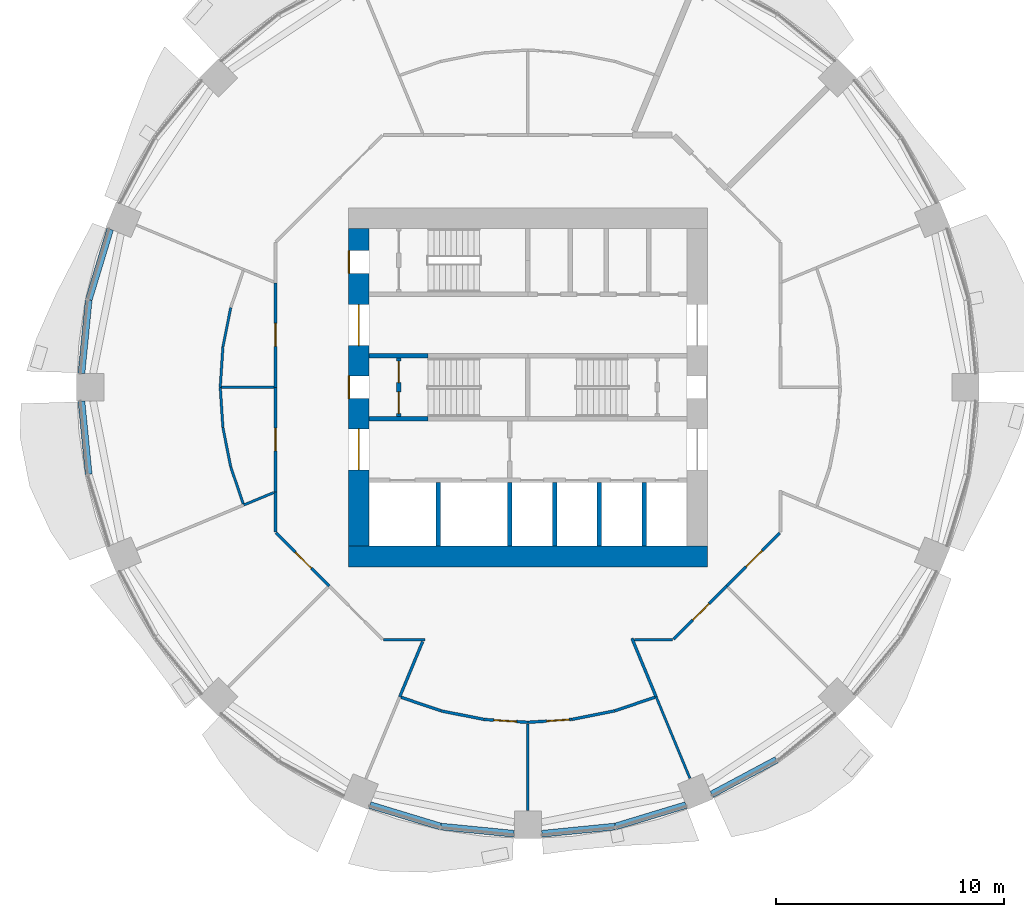
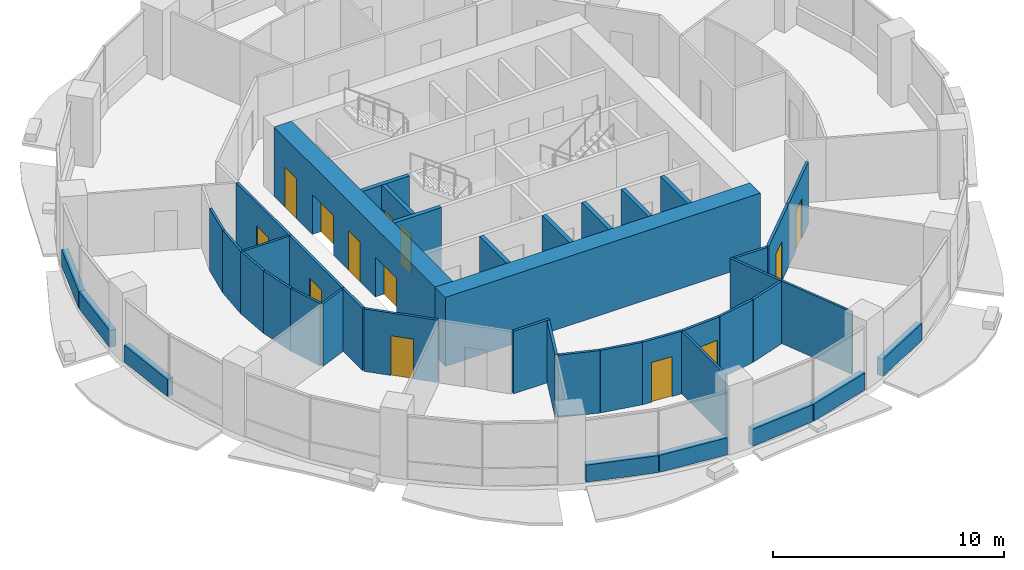
# One storey, part 8 of 15: 43 walls, 13 doors, 13 openings.
"""IFC4 building model written with IfcOpenShell, lengths in metres."""

from ifc_helpers import new_model, si_unit, direction, frame, frame_2d, origin, place, context, subcontext, project, spatial, rectangle, extrude, material, layer, layer_set, type_object, element, fill, save


model = new_model("IFC4")

# Units and contexts
model_context = context("Model", 3, precision=1e-05, world=origin(), true_north=direction((0.0, 1.0)))
body_context = subcontext(model_context, "Body", "Model", "MODEL_VIEW")
ifc_project = project(units=[si_unit("LENGTHUNIT", "METRE"), si_unit("AREAUNIT", "SQUARE_METRE"), si_unit("VOLUMEUNIT", "CUBIC_METRE"), si_unit("PLANEANGLEUNIT", "RADIAN"), si_unit("MASSUNIT", "GRAM", prefix="KILO")], contexts=[model_context])

# Site, building, storey
site_placement = place(None, origin())
site = spatial("IfcSite", under=ifc_project, at=site_placement, CompositionType="ELEMENT")
building_placement = place(site_placement, origin())
building = spatial("IfcBuilding", under=site, at=building_placement, Name="Polderwave Tower", CompositionType="ELEMENT")
storey_placement = place(building_placement, frame((0.0, 0.0, 33.5)))
storey = spatial("IfcBuildingStorey", under=building, at=storey_placement, Name="L08", CompositionType="ELEMENT", Elevation=33.5)

# Wall
ifc_material_1 = material(Name="Concrete C80/95", Category="concrete")
ifc_layer_1 = layer(ifc_material_1, 0.89990234375)
ifc_layer_set_1 = layer_set([ifc_layer_1], Name="CORE WALL 900 C80/95")
wall_type_1 = type_object("IfcWallType", Name="CORE WALL 900 C80/95", PredefinedType="SHEAR", material=ifc_layer_set_1)
wall_1_placement = place(storey_placement, frame((-7.8740234375, -7.424072265625, 0.0), z_axis=(0.0, 0.0, 1.0), x_axis=(1.0, 0.0, 0.0)))
element("IfcWall", 1, at=wall_1_placement, inside=storey, type_object=wall_type_1, Name="ST-CORE-L08-S", PredefinedType="SHEAR", context=body_context, shape_type="SweptSolid", body=[
    extrude(rectangle(XDim=15.748046875, YDim=0.89990234375, at=frame_2d((7.8740234375, 0.0))), origin(), (0.0, 0.0, 1.0), 3.64990234375),
])

# Wall, openings, doors
wall_2_placement = place(storey_placement, frame((-7.424072265625, -6.97412109375, 0.0), z_axis=(0.0, 0.0, 1.0), x_axis=(0.0, 1.0, 0.0)))
wall_2 = element("IfcWall", 2, at=wall_2_placement, inside=storey, type_object=wall_type_1, Name="ST-CORE-L08-W", PredefinedType="SHEAR", context=body_context, shape_type="SweptSolid", body=[
    extrude(rectangle(XDim=13.9482421875, YDim=0.89990234375, at=frame_2d((6.97412109375, 0.0))), origin(), (0.0, 0.0, 1.0), 3.64990234375),
])
opening_1_placement = place(wall_2_placement, frame((6.47412109375, 0.0, 0.0)))
opening_1 = element("IfcOpeningElement", 3, at=opening_1_placement, cuts=wall_2, Name="Opening L08-D18", PredefinedType="OPENING", context=body_context, shape_type="SweptSolid", body=[
    extrude(rectangle(XDim=1.0, YDim=2.10009765625, at=frame_2d((0.5, 1.050048828125))), frame((0.0, 0.4599609375, 0.0), z_axis=(0.0, -1.0, 0.0), x_axis=(1.0, 0.0, 0.0)), (0.0, 0.0, 1.0), 0.919921875),
])
opening_2_placement = place(wall_2_placement, frame((3.349609375, 0.0, 0.0)))
opening_2 = element("IfcOpeningElement", 4, at=opening_2_placement, cuts=wall_2, Name="Opening L08-D19", PredefinedType="OPENING", context=body_context, shape_type="SweptSolid", body=[
    extrude(rectangle(XDim=1.800048828125, YDim=2.10009765625, at=frame_2d((0.89990234375, 1.050048828125))), frame((0.0, 0.4599609375, 0.0), z_axis=(0.0, -1.0, 0.0), x_axis=(1.0, 0.0, 0.0)), (0.0, 0.0, 1.0), 0.919921875),
])
opening_3_placement = place(wall_2_placement, frame((8.798583984375, 0.0, 0.0)))
opening_3 = element("IfcOpeningElement", 5, at=opening_3_placement, cuts=wall_2, Name="Opening L08-D20", PredefinedType="OPENING", context=body_context, shape_type="SweptSolid", body=[
    extrude(rectangle(XDim=1.800048828125, YDim=2.10009765625, at=frame_2d((0.89990234375, 1.050048828125))), frame((0.0, 0.4599609375, 0.0), z_axis=(0.0, -1.0, 0.0), x_axis=(1.0, 0.0, 0.0)), (0.0, 0.0, 1.0), 0.919921875),
])
opening_4_placement = place(wall_2_placement, frame((11.97412109375, 0.0, 0.0)))
opening_4 = element("IfcOpeningElement", 6, at=opening_4_placement, cuts=wall_2, Name="Opening L08-D21", PredefinedType="OPENING", context=body_context, shape_type="SweptSolid", body=[
    extrude(rectangle(XDim=1.0, YDim=2.10009765625, at=frame_2d((0.5, 1.050048828125))), frame((0.0, 0.4599609375, 0.0), z_axis=(0.0, -1.0, 0.0), x_axis=(1.0, 0.0, 0.0)), (0.0, 0.0, 1.0), 0.919921875),
])
ifc_material_2 = material(Name="Steel fire door", Category="steel")
door_type_1 = type_object("IfcDoorType", Name="Lobby entry door pair 1800", OperationType="DOUBLE_DOOR_SINGLE_SWING", PredefinedType="DOOR", material=ifc_material_2)
door_1_placement = place(opening_2_placement, origin())
door_1 = element("IfcDoor", 7, at=door_1_placement, inside=storey, type_object=door_type_1, Name="Fire-fighting lobby entry door", OperationType="DOUBLE_DOOR_SINGLE_SWING", OverallHeight=2.10009765625, OverallWidth=1.800048828125, PredefinedType="DOOR", context=body_context, shape_type="SweptSolid", body=[
    extrude(rectangle(XDim=1.800048828125, YDim=2.10009765625, at=frame_2d((0.89990234375, 1.050048828125))), frame((0.0, 0.02490234375, 0.0), z_axis=(0.0, -1.0, 0.0), x_axis=(1.0, 0.0, 0.0)), (0.0, 0.0, 1.0), 0.050048828125),
])
fill(opening_2, door_1)
door_2_placement = place(opening_3_placement, origin())
door_2 = element("IfcDoor", 8, at=door_2_placement, inside=storey, type_object=door_type_1, Name="North lobby entry door", OperationType="DOUBLE_DOOR_SINGLE_SWING", OverallHeight=2.10009765625, OverallWidth=1.800048828125, PredefinedType="DOOR", context=body_context, shape_type="SweptSolid", body=[
    extrude(rectangle(XDim=1.800048828125, YDim=2.10009765625, at=frame_2d((0.89990234375, 1.050048828125))), frame((0.0, 0.02490234375, 0.0), z_axis=(0.0, -1.0, 0.0), x_axis=(1.0, 0.0, 0.0)), (0.0, 0.0, 1.0), 0.050048828125),
])
fill(opening_3, door_2)
door_type_2 = type_object("IfcDoorType", Name="Stair door 1000", OperationType="NOTDEFINED", PredefinedType="DOOR", material=ifc_material_2)
door_3_placement = place(opening_1_placement, origin())
door_3 = element("IfcDoor", 9, at=door_3_placement, inside=storey, type_object=door_type_2, Name="Stair A entry door", OperationType="SINGLE_SWING_RIGHT", OverallHeight=2.10009765625, OverallWidth=1.0, PredefinedType="DOOR", context=body_context, shape_type="SweptSolid", body=[
    extrude(rectangle(XDim=1.0, YDim=2.10009765625, at=frame_2d((0.5, 1.050048828125))), frame((0.0, 0.4501953125, 0.0), z_axis=(0.0, -1.0, 0.0), x_axis=(1.0, 0.0, 0.0)), (0.0, 0.0, 1.0), 0.050048828125),
])
fill(opening_1, door_3)
door_4_placement = place(opening_4_placement, origin())
door_4 = element("IfcDoor", 10, at=door_4_placement, inside=storey, type_object=door_type_2, Name="Stair C entry door", OperationType="SINGLE_SWING_RIGHT", OverallHeight=2.10009765625, OverallWidth=1.0, PredefinedType="DOOR", context=body_context, shape_type="SweptSolid", body=[
    extrude(rectangle(XDim=1.0, YDim=2.10009765625, at=frame_2d((0.5, 1.050048828125))), frame((0.0, 0.4501953125, 0.0), z_axis=(0.0, -1.0, 0.0), x_axis=(1.0, 0.0, 0.0)), (0.0, 0.0, 1.0), 0.050048828125),
])
fill(opening_4, door_4)

# Walls
ifc_material_3 = material(Name="Concrete C50/60 (board-marked)", Category="concrete")
ifc_layer_2 = layer(ifc_material_3, 0.300048828125)
ifc_layer_set_2 = layer_set([ifc_layer_2], Name="Concrete spandrel upstand C50/60")
wall_type_2 = type_object("IfcWallType", Name="Concrete spandrel upstand C50/60", PredefinedType="SOLIDWALL", material=ifc_layer_set_2)
for number, where, z_axis, x_axis, name in (
    (11, (-18.33251953125, 6.9296875, 0.0), (0.0, 0.0, 1.0), (-0.290301899131, -0.956935111364, 0.0), "Spandrel L08 8a"),
    (12, (-19.2734375, 3.818115234375, 0.0), (0.0, 0.0, 1.0), (-0.09816025243, -0.995170620971, 0.0), "Spandrel L08 8b"),
    (13, (-19.589599609375, -0.61279296875, 0.0), (0.0, 0.0, 1.0), (0.09816025243, -0.995170620971, 0.0), "Spandrel L08 9a"),
    (14, (-6.9296875, -18.33251953125, 0.0), (0.0, 0.0, 1.0), (0.956935111364, -0.290301899131, 0.0), "Spandrel L08 12a"),
    (15, (-3.818115234375, -19.2734375, 0.0), (0.0, 0.0, 1.0), (0.995170620971, -0.09816025243, 0.0), "Spandrel L08 12b"),
    (16, (0.61279296875, -19.589599609375, 0.0), (0.0, 0.0, 1.0), (0.995170620971, 0.09816025243, 0.0), "Spandrel L08 13a"),
    (17, (3.847412109375, -19.267578125, 0.0), (0.0, 0.0, 1.0), (0.956935111364, 0.290301899131, 0.0), "Spandrel L08 13b"),
):
    element("IfcWall", number, at=place(storey_placement, frame(where, z_axis=z_axis, x_axis=x_axis)), inside=storey, type_object=wall_type_2, Name=name, PredefinedType="SOLIDWALL", context=body_context, shape_type="SweptSolid", body=[
        extrude(rectangle(XDim=3.220947265625, YDim=0.300048828125, at=frame_2d((1.6103515625, 0.0))), origin(), (0.0, 0.0, 1.0), 0.89990234375),
    ])
wall_3_placement = place(storey_placement, frame((8.063232421875, -17.86279296875, 0.0), z_axis=(0.0, 0.0, 1.0), x_axis=(0.882016961449, 0.471217656413, 0.0)))
element("IfcWall", 18, at=wall_3_placement, inside=storey, type_object=wall_type_2, Name="Spandrel L08 14a", PredefinedType="SOLIDWALL", context=body_context, shape_type="SweptSolid", body=[
    extrude(rectangle(XDim=3.220458984375, YDim=0.300048828125, at=frame_2d((1.6103515625, 0.0))), origin(), (0.0, 0.0, 1.0), 0.89990234375),
])

# Wall, openings, doors
ifc_material_4 = material(Name="Gypsum board partition")
ifc_layer_3 = layer(ifc_material_4, 0.199951171875)
ifc_layer_set_3 = layer_set([ifc_layer_3], Name="Core room partition 200")
wall_type_3 = type_object("IfcWallType", Name="Core room partition 200", PredefinedType="PARTITIONING", material=ifc_layer_set_3)
wall_4_placement = place(storey_placement, frame((-5.674072265625, -1.27490234375, 0.0), z_axis=(0.0, 0.0, 1.0), x_axis=(0.0, 1.0, 0.0)))
wall_4 = element("IfcWall", 19, at=wall_4_placement, inside=storey, type_object=wall_type_3, Name="L08 smoke lobby wall A", PredefinedType="PARTITIONING", context=body_context, shape_type="SweptSolid", body=[
    extrude(rectangle(XDim=2.5498046875, YDim=0.199951171875, at=frame_2d((1.27490234375, 0.0))), origin(), (0.0, 0.0, 1.0), 3.300048828125),
])
opening_5_placement = place(wall_4_placement, frame((0.125, 0.0, 0.0)))
opening_5 = element("IfcOpeningElement", 20, at=opening_5_placement, cuts=wall_4, Name="Opening L08-D07", PredefinedType="OPENING", context=body_context, shape_type="SweptSolid", body=[
    extrude(rectangle(XDim=0.949951171875, YDim=2.10009765625, at=frame_2d((0.47509765625, 1.050048828125))), frame((0.0, 0.10986328125, 0.0), z_axis=(0.0, -1.0, 0.0), x_axis=(1.0, 0.0, 0.0)), (0.0, 0.0, 1.0), 0.219970703125),
])
opening_6_placement = place(wall_4_placement, frame((1.47509765625, 0.0, 0.0)))
opening_6 = element("IfcOpeningElement", 21, at=opening_6_placement, cuts=wall_4, Name="Opening L08-D08", PredefinedType="OPENING", context=body_context, shape_type="SweptSolid", body=[
    extrude(rectangle(XDim=0.949951171875, YDim=2.10009765625, at=frame_2d((0.47509765625, 1.050048828125))), frame((0.0, 0.10986328125, 0.0), z_axis=(0.0, -1.0, 0.0), x_axis=(1.0, 0.0, 0.0)), (0.0, 0.0, 1.0), 0.219970703125),
])
door_type_3 = type_object("IfcDoorType", Name="Smoke lobby door 950", OperationType="NOTDEFINED", PredefinedType="DOOR", material=ifc_material_2)
door_5_placement = place(opening_5_placement, origin())
door_5 = element("IfcDoor", 22, at=door_5_placement, inside=storey, type_object=door_type_3, Name="Stair A smoke lobby inner door", OperationType="SINGLE_SWING_LEFT", OverallHeight=2.10009765625, OverallWidth=0.949951171875, PredefinedType="DOOR", context=body_context, shape_type="SweptSolid", body=[
    extrude(rectangle(XDim=0.949951171875, YDim=2.10009765625, at=frame_2d((0.47509765625, 1.050048828125))), frame((0.0, 0.02490234375, 0.0), z_axis=(0.0, -1.0, 0.0), x_axis=(1.0, 0.0, 0.0)), (0.0, 0.0, 1.0), 0.050048828125),
])
fill(opening_5, door_5)
door_6_placement = place(opening_6_placement, origin())
door_6 = element("IfcDoor", 23, at=door_6_placement, inside=storey, type_object=door_type_3, Name="Stair A smoke lobby inner door", OperationType="SINGLE_SWING_RIGHT", OverallHeight=2.10009765625, OverallWidth=0.949951171875, PredefinedType="DOOR", context=body_context, shape_type="SweptSolid", body=[
    extrude(rectangle(XDim=0.949951171875, YDim=2.10009765625, at=frame_2d((0.47509765625, 1.050048828125))), frame((0.0, 0.02490234375, 0.0), z_axis=(0.0, -1.0, 0.0), x_axis=(1.0, 0.0, 0.0)), (0.0, 0.0, 1.0), 0.050048828125),
])
fill(opening_6, door_6)

# Walls
ifc_material_5 = material(Name="Concrete C50/60", Category="concrete")
ifc_layer_4 = layer(ifc_material_5, 0.199951171875)
ifc_layer_set_4 = layer_set([ifc_layer_4], Name="Core web wall 200")
wall_type_4 = type_object("IfcWallType", Name="Core web wall 200", PredefinedType="SHEAR", material=ifc_layer_set_4)
for number, where, z_axis, x_axis, name in (
    (24, (-6.97412109375, -1.375, 0.0), (0.0, 0.0, 1.0), (1.0, 0.0, 0.0), "L08 south stair wall 1"),
    (25, (-6.97412109375, 1.375, 0.0), (0.0, 0.0, 1.0), (1.0, 0.0, 0.0), "L08 north stair wall 1"),
):
    element("IfcWall", number, at=place(storey_placement, frame(where, z_axis=z_axis, x_axis=x_axis)), inside=storey, type_object=wall_type_4, Name=name, PredefinedType="SHEAR", context=body_context, shape_type="SweptSolid", body=[
        extrude(rectangle(XDim=2.60009765625, YDim=0.199951171875, at=frame_2d((1.300048828125, 0.0))), origin(), (0.0, 0.0, 1.0), 3.300048828125),
    ])

# Wall, opening, door
ifc_material_6 = material(Name="Fire-resisting board on steel studs", Category="steel")
ifc_layer_5 = layer(ifc_material_6, 0.125)
ifc_layer_set_5 = layer_set([ifc_layer_5], Name="Corridor wall 125 mm EI 60")
wall_type_5 = type_object("IfcWallType", Name="Corridor wall 125 mm EI 60", PredefinedType="PARTITIONING", material=ifc_layer_set_5)
wall_5_placement = place(storey_placement, frame((11.0556640625, -6.389404296875, 0.0), z_axis=(0.0, 0.0, 1.0), x_axis=(-0.707143776336, -0.707069784102, 0.0)))
wall_5 = element("IfcWall", 26, at=wall_5_placement, inside=storey, type_object=wall_type_5, Name="IN-L08-W004", PredefinedType="PARTITIONING", context=body_context, shape_type="SweptSolid", body=[
    extrude(rectangle(XDim=3.299560546875, YDim=0.125, at=frame_2d((1.64990234375, 0.0))), origin(), (0.0, 0.0, 1.0), 3.300048828125),
])
opening_7_placement = place(wall_5_placement, frame((1.10009765625, 0.0, 0.0)))
opening_7 = element("IfcOpeningElement", 27, at=opening_7_placement, cuts=wall_5, Name="Opening L08-D52", PredefinedType="OPENING", context=body_context, shape_type="SweptSolid", body=[
    extrude(rectangle(XDim=1.0, YDim=2.10009765625, at=frame_2d((0.5, 1.050048828125))), frame((0.0, 0.072509765625, 0.0), z_axis=(0.0, -1.0, 0.0), x_axis=(1.0, 0.0, 0.0)), (0.0, 0.0, 1.0), 0.14501953125),
])
ifc_material_7 = material(Name="Timber fire door leaf", Category="wood")
door_type_4 = type_object("IfcDoorType", Name="Fire door FD30S 1000 x 2100", OperationType="NOTDEFINED", PredefinedType="DOOR", material=ifc_material_7)
door_7_placement = place(opening_7_placement, origin())
door_7 = element("IfcDoor", 28, at=door_7_placement, inside=storey, type_object=door_type_4, Name="Door L08-D52", OperationType="SINGLE_SWING_LEFT", OverallHeight=2.10009765625, OverallWidth=1.0, PredefinedType="DOOR", context=body_context, shape_type="SweptSolid", body=[
    extrude(rectangle(XDim=1.0, YDim=2.10009765625, at=frame_2d((0.5, 1.050048828125))), frame((0.0, 0.02490234375, 0.0), z_axis=(0.0, -1.0, 0.0), x_axis=(1.0, 0.0, 0.0)), (0.0, 0.0, 1.0), 0.050048828125),
])
fill(opening_7, door_7)

wall_6_placement = place(storey_placement, frame((-11.073974609375, 0.0, 0.0), z_axis=(0.0, 0.0, 1.0), x_axis=(0.0, 1.0, 0.0)))
wall_6 = element("IfcWall", 29, at=wall_6_placement, inside=storey, type_object=wall_type_5, Name="IN-L08-W014", PredefinedType="PARTITIONING", context=body_context, shape_type="SweptSolid", body=[
    extrude(rectangle(XDim=4.5869140625, YDim=0.125, at=frame_2d((2.29345703125, 0.0))), origin(), (0.0, 0.0, 1.0), 3.300048828125),
])
opening_8_placement = place(wall_6_placement, frame((1.800048828125, 0.0, 0.0)))
opening_8 = element("IfcOpeningElement", 30, at=opening_8_placement, cuts=wall_6, Name="Opening L08-D57", PredefinedType="OPENING", context=body_context, shape_type="SweptSolid", body=[
    extrude(rectangle(XDim=1.0, YDim=2.10009765625, at=frame_2d((0.5, 1.050048828125))), frame((0.0, 0.072509765625, 0.0), z_axis=(0.0, -1.0, 0.0), x_axis=(1.0, 0.0, 0.0)), (0.0, 0.0, 1.0), 0.14501953125),
])
door_8_placement = place(opening_8_placement, origin())
door_8 = element("IfcDoor", 31, at=door_8_placement, inside=storey, type_object=door_type_4, Name="Door L08-D57", OperationType="SINGLE_SWING_RIGHT", OverallHeight=2.10009765625, OverallWidth=1.0, PredefinedType="DOOR", context=body_context, shape_type="SweptSolid", body=[
    extrude(rectangle(XDim=1.0, YDim=2.10009765625, at=frame_2d((0.5, 1.050048828125))), frame((0.0, 0.02490234375, 0.0), z_axis=(0.0, -1.0, 0.0), x_axis=(1.0, 0.0, 0.0)), (0.0, 0.0, 1.0), 0.050048828125),
])
fill(opening_8, door_8)

wall_7_placement = place(storey_placement, frame((-11.073974609375, -4.5869140625, 0.0), z_axis=(0.0, 0.0, 1.0), x_axis=(0.0, 1.0, 0.0)))
wall_7 = element("IfcWall", 32, at=wall_7_placement, inside=storey, type_object=wall_type_5, Name="IN-L08-W015", PredefinedType="PARTITIONING", context=body_context, shape_type="SweptSolid", body=[
    extrude(rectangle(XDim=4.5869140625, YDim=0.125, at=frame_2d((2.29345703125, 0.0))), origin(), (0.0, 0.0, 1.0), 3.300048828125),
])
opening_9_placement = place(wall_7_placement, frame((1.800048828125, 0.0, 0.0)))
opening_9 = element("IfcOpeningElement", 33, at=opening_9_placement, cuts=wall_7, Name="Opening L08-D58", PredefinedType="OPENING", context=body_context, shape_type="SweptSolid", body=[
    extrude(rectangle(XDim=1.0, YDim=2.10009765625, at=frame_2d((0.5, 1.050048828125))), frame((0.0, 0.072509765625, 0.0), z_axis=(0.0, -1.0, 0.0), x_axis=(1.0, 0.0, 0.0)), (0.0, 0.0, 1.0), 0.14501953125),
])
door_9_placement = place(opening_9_placement, origin())
door_9 = element("IfcDoor", 34, at=door_9_placement, inside=storey, type_object=door_type_4, Name="Door L08-D58", OperationType="SINGLE_SWING_RIGHT", OverallHeight=2.10009765625, OverallWidth=1.0, PredefinedType="DOOR", context=body_context, shape_type="SweptSolid", body=[
    extrude(rectangle(XDim=1.0, YDim=2.10009765625, at=frame_2d((0.5, 1.050048828125))), frame((0.0, 0.02490234375, 0.0), z_axis=(0.0, -1.0, 0.0), x_axis=(1.0, 0.0, 0.0)), (0.0, 0.0, 1.0), 0.050048828125),
])
fill(opening_9, door_9)

# Wall
wall_8_placement = place(storey_placement, frame((-11.073974609375, -6.34521484375, 0.0), z_axis=(0.0, 0.0, 1.0), x_axis=(0.0, 1.0, 0.0)))
element("IfcWall", 35, at=wall_8_placement, inside=storey, type_object=wall_type_5, Name="IN-L08-W016", PredefinedType="PARTITIONING", context=body_context, shape_type="SweptSolid", body=[
    extrude(rectangle(XDim=1.75830078125, YDim=0.125, at=frame_2d((0.879150390625, 0.0))), origin(), (0.0, 0.0, 1.0), 3.300048828125),
])

# Wall, opening, door
wall_9_placement = place(storey_placement, frame((-8.722412109375, -8.722412109375, 0.0), z_axis=(0.0, 0.0, 1.0), x_axis=(-0.707143776336, 0.707069784102, 0.0)))
wall_9 = element("IfcWall", 36, at=wall_9_placement, inside=storey, type_object=wall_type_5, Name="IN-L08-W017", PredefinedType="PARTITIONING", context=body_context, shape_type="SweptSolid", body=[
    extrude(rectangle(XDim=3.299560546875, YDim=0.125, at=frame_2d((1.64990234375, 0.0))), origin(), (0.0, 0.0, 1.0), 3.300048828125),
])
opening_10_placement = place(wall_9_placement, frame((1.10009765625, 0.0, 0.0)))
opening_10 = element("IfcOpeningElement", 37, at=opening_10_placement, cuts=wall_9, Name="Opening L08-D59", PredefinedType="OPENING", context=body_context, shape_type="SweptSolid", body=[
    extrude(rectangle(XDim=1.0, YDim=2.10009765625, at=frame_2d((0.5, 1.050048828125))), frame((0.0, 0.072509765625, 0.0), z_axis=(0.0, -1.0, 0.0), x_axis=(1.0, 0.0, 0.0)), (0.0, 0.0, 1.0), 0.14501953125),
])
door_10_placement = place(opening_10_placement, origin())
door_10 = element("IfcDoor", 38, at=door_10_placement, inside=storey, type_object=door_type_4, Name="Door L08-D59", OperationType="SINGLE_SWING_LEFT", OverallHeight=2.10009765625, OverallWidth=1.0, PredefinedType="DOOR", context=body_context, shape_type="SweptSolid", body=[
    extrude(rectangle(XDim=1.0, YDim=2.10009765625, at=frame_2d((0.5, 1.050048828125))), frame((0.0, 0.02490234375, 0.0), z_axis=(0.0, -1.0, 0.0), x_axis=(1.0, 0.0, 0.0)), (0.0, 0.0, 1.0), 0.050048828125),
])
fill(opening_10, door_10)

# Walls
wall_10_placement = place(storey_placement, frame((-4.5244140625, -11.073974609375, 0.0), z_axis=(0.0, 0.0, 1.0), x_axis=(-1.0, 0.0, 0.0)))
element("IfcWall", 39, at=wall_10_placement, inside=storey, type_object=wall_type_5, Name="IN-L08-W019", PredefinedType="PARTITIONING", context=body_context, shape_type="SweptSolid", body=[
    extrude(rectangle(XDim=1.82080078125, YDim=0.125, at=frame_2d((0.910400390625, 0.0))), origin(), (0.0, 0.0, 1.0), 3.300048828125),
])
wall_11_placement = place(storey_placement, frame((6.34521484375, -11.073974609375, 0.0), z_axis=(0.0, 0.0, 1.0), x_axis=(-1.0, 0.0, 0.0)))
element("IfcWall", 40, at=wall_11_placement, inside=storey, type_object=wall_type_5, Name="IN-L08-W020", PredefinedType="PARTITIONING", context=body_context, shape_type="SweptSolid", body=[
    extrude(rectangle(XDim=1.664794921875, YDim=0.125, at=frame_2d((0.83251953125, 0.0))), origin(), (0.0, 0.0, 1.0), 3.300048828125),
])

# Wall, opening, door
wall_12_placement = place(storey_placement, frame((8.722412109375, -8.722412109375, 0.0), z_axis=(0.0, 0.0, 1.0), x_axis=(-0.707069784102, -0.707143776336, 0.0)))
wall_12 = element("IfcWall", 41, at=wall_12_placement, inside=storey, type_object=wall_type_5, Name="IN-L08-W021", PredefinedType="PARTITIONING", context=body_context, shape_type="SweptSolid", body=[
    extrude(rectangle(XDim=3.299560546875, YDim=0.125, at=frame_2d((1.64990234375, 0.0))), origin(), (0.0, 0.0, 1.0), 3.300048828125),
])
opening_11_placement = place(wall_12_placement, frame((1.10009765625, 0.0, 0.0)))
opening_11 = element("IfcOpeningElement", 42, at=opening_11_placement, cuts=wall_12, Name="Opening L08-D61", PredefinedType="OPENING", context=body_context, shape_type="SweptSolid", body=[
    extrude(rectangle(XDim=1.0, YDim=2.10009765625, at=frame_2d((0.5, 1.050048828125))), frame((0.0, 0.072509765625, 0.0), z_axis=(0.0, -1.0, 0.0), x_axis=(1.0, 0.0, 0.0)), (0.0, 0.0, 1.0), 0.14501953125),
])
door_11_placement = place(opening_11_placement, origin())
door_11 = element("IfcDoor", 43, at=door_11_placement, inside=storey, type_object=door_type_4, Name="Door L08-D61", OperationType="SINGLE_SWING_LEFT", OverallHeight=2.10009765625, OverallWidth=1.0, PredefinedType="DOOR", context=body_context, shape_type="SweptSolid", body=[
    extrude(rectangle(XDim=1.0, YDim=2.10009765625, at=frame_2d((0.5, 1.050048828125))), frame((0.0, 0.02490234375, 0.0), z_axis=(0.0, -1.0, 0.0), x_axis=(1.0, 0.0, 0.0)), (0.0, 0.0, 1.0), 0.050048828125),
])
fill(opening_11, door_11)

# Walls
wall_13_placement = place(storey_placement, frame((-4.622802734375, -11.160400390625, 0.0), z_axis=(0.0, 0.0, 1.0), x_axis=(-0.382689200876, -0.923877143095, 0.0)))
element("IfcWall", 44, at=wall_13_placement, inside=storey, type_object=wall_type_5, Name="IN-L08-W057", PredefinedType="PARTITIONING", context=body_context, shape_type="SweptSolid", body=[
    extrude(rectangle(XDim=2.6201171875, YDim=0.125, at=frame_2d((1.31005859375, 0.0))), origin(), (0.0, 0.0, 1.0), 3.300048828125),
])
wall_14_placement = place(storey_placement, frame((-5.562255859375, -13.6025390625, 0.0), z_axis=(0.0, 0.0, 1.0), x_axis=(0.946942164526, -0.321404009065, 0.0)))
element("IfcWall", 45, at=wall_14_placement, inside=storey, type_object=wall_type_5, Name="IN-L08-W058", PredefinedType="PARTITIONING", context=body_context, shape_type="SweptSolid", body=[
    extrude(rectangle(XDim=1.851806640625, YDim=0.125, at=frame_2d((0.92578125, 0.0))), origin(), (0.0, 0.0, 1.0), 3.300048828125),
])
wall_15_placement = place(storey_placement, frame((-3.800537109375, -14.199951171875, 0.0), z_axis=(0.0, 0.0, 1.0), x_axis=(0.980786108198, -0.195086160367, 0.0)))
element("IfcWall", 46, at=wall_15_placement, inside=storey, type_object=wall_type_5, Name="IN-L08-W059", PredefinedType="PARTITIONING", context=body_context, shape_type="SweptSolid", body=[
    extrude(rectangle(XDim=1.914794921875, YDim=0.125, at=frame_2d((0.95751953125, 0.0))), origin(), (0.0, 0.0, 1.0), 3.300048828125),
])

# Wall, opening, door
wall_16_placement = place(storey_placement, frame((0.0, -14.699951171875, 0.0), z_axis=(0.0, 0.0, 1.0), x_axis=(-0.997858855436, 0.065404163695, 0.0)))
wall_16 = element("IfcWall", 47, at=wall_16_placement, inside=storey, type_object=wall_type_5, Name="IN-L08-W060", PredefinedType="PARTITIONING", context=body_context, shape_type="SweptSolid", body=[
    extrude(rectangle(XDim=1.918701171875, YDim=0.125, at=frame_2d((0.95947265625, 0.0))), origin(), (0.0, 0.0, 1.0), 3.300048828125),
])
opening_12_placement = place(wall_16_placement, frame((0.5, 0.0, 0.0)))
opening_12 = element("IfcOpeningElement", 48, at=opening_12_placement, cuts=wall_16, Name="Opening L08-D65", PredefinedType="OPENING", context=body_context, shape_type="SweptSolid", body=[
    extrude(rectangle(XDim=1.0, YDim=2.10009765625, at=frame_2d((0.5, 1.050048828125))), frame((0.0, 0.072509765625, 0.0), z_axis=(0.0, -1.0, 0.0), x_axis=(1.0, 0.0, 0.0)), (0.0, 0.0, 1.0), 0.14501953125),
])
door_12_placement = place(opening_12_placement, origin())
door_12 = element("IfcDoor", 49, at=door_12_placement, inside=storey, type_object=door_type_4, Name="Door L08-D65", OperationType="SINGLE_SWING_RIGHT", OverallHeight=2.10009765625, OverallWidth=1.0, PredefinedType="DOOR", context=body_context, shape_type="SweptSolid", body=[
    extrude(rectangle(XDim=1.0, YDim=2.10009765625, at=frame_2d((0.5, 1.050048828125))), frame((0.0, 0.02490234375, 0.0), z_axis=(0.0, -1.0, 0.0), x_axis=(1.0, 0.0, 0.0)), (0.0, 0.0, 1.0), 0.050048828125),
])
fill(opening_12, door_12)

wall_17_placement = place(storey_placement, frame((1.91455078125, -14.574462890625, 0.0), z_axis=(0.0, 0.0, 1.0), x_axis=(-0.997858855436, -0.065404163695, 0.0)))
wall_17 = element("IfcWall", 50, at=wall_17_placement, inside=storey, type_object=wall_type_5, Name="IN-L08-W062", PredefinedType="PARTITIONING", context=body_context, shape_type="SweptSolid", body=[
    extrude(rectangle(XDim=1.918701171875, YDim=0.125, at=frame_2d((0.95947265625, 0.0))), origin(), (0.0, 0.0, 1.0), 3.300048828125),
])
opening_13_placement = place(wall_17_placement, frame((0.10009765625, 0.0, 0.0)))
opening_13 = element("IfcOpeningElement", 51, at=opening_13_placement, cuts=wall_17, Name="Opening L08-D66", PredefinedType="OPENING", context=body_context, shape_type="SweptSolid", body=[
    extrude(rectangle(XDim=1.0, YDim=2.10009765625, at=frame_2d((0.5, 1.050048828125))), frame((0.0, 0.072509765625, 0.0), z_axis=(0.0, -1.0, 0.0), x_axis=(1.0, 0.0, 0.0)), (0.0, 0.0, 1.0), 0.14501953125),
])
door_13_placement = place(opening_13_placement, origin())
door_13 = element("IfcDoor", 52, at=door_13_placement, inside=storey, type_object=door_type_4, Name="Door L08-D66", OperationType="SINGLE_SWING_LEFT", OverallHeight=2.10009765625, OverallWidth=1.0, PredefinedType="DOOR", context=body_context, shape_type="SweptSolid", body=[
    extrude(rectangle(XDim=1.0, YDim=2.10009765625, at=frame_2d((0.5, 1.050048828125))), frame((0.0, 0.02490234375, 0.0), z_axis=(0.0, -1.0, 0.0), x_axis=(1.0, 0.0, 0.0)), (0.0, 0.0, 1.0), 0.050048828125),
])
fill(opening_13, door_13)

# Walls
wall_18_placement = place(storey_placement, frame((3.800537109375, -14.199951171875, 0.0), z_axis=(0.0, 0.0, 1.0), x_axis=(-0.980786108198, -0.195086160367, 0.0)))
element("IfcWall", 53, at=wall_18_placement, inside=storey, type_object=wall_type_5, Name="IN-L08-W063", PredefinedType="PARTITIONING", context=body_context, shape_type="SweptSolid", body=[
    extrude(rectangle(XDim=1.914794921875, YDim=0.125, at=frame_2d((0.95751953125, 0.0))), origin(), (0.0, 0.0, 1.0), 3.300048828125),
])
wall_19_placement = place(storey_placement, frame((5.562255859375, -13.6025390625, 0.0), z_axis=(0.0, 0.0, 1.0), x_axis=(-0.946942164526, -0.321404009065, 0.0)))
element("IfcWall", 54, at=wall_19_placement, inside=storey, type_object=wall_type_5, Name="IN-L08-W064", PredefinedType="PARTITIONING", context=body_context, shape_type="SweptSolid", body=[
    extrude(rectangle(XDim=1.851806640625, YDim=0.125, at=frame_2d((0.92578125, 0.0))), origin(), (0.0, 0.0, 1.0), 3.300048828125),
])
wall_20_placement = place(storey_placement, frame((4.56298828125, -11.016357421875, 0.0), z_axis=(0.0, 0.0, 1.0), x_axis=(0.382734966231, -0.923858184801, 0.0)))
element("IfcWall", 55, at=wall_20_placement, inside=storey, type_object=wall_type_5, Name="IN-L08-W065", PredefinedType="PARTITIONING", context=body_context, shape_type="SweptSolid", body=[
    extrude(rectangle(XDim=2.776123046875, YDim=0.125, at=frame_2d((1.38818359375, 0.0))), origin(), (0.0, 0.0, 1.0), 3.300048828125),
])
ifc_material_8 = material(Name="Moisture-resistant board on steel studs, tiled", Category="steel")
ifc_layer_6 = layer(ifc_material_8, 0.10498046875)
ifc_layer_set_6 = layer_set([ifc_layer_6], Name="Partition 105 mm wet room board and tile")
wall_type_6 = type_object("IfcWallType", Name="Partition 105 mm wet room board and tile", PredefinedType="PARTITIONING", material=ifc_layer_set_6)
wall_21_placement = place(storey_placement, frame((5.62548828125, -13.5810546875, 0.0), z_axis=(0.0, 0.0, 1.0), x_axis=(0.382674944996, -0.923883048049, 0.0)))
element("IfcWall", 56, at=wall_21_placement, inside=storey, type_object=wall_type_6, Name="IN-L08-W066", PredefinedType="PARTITIONING", context=body_context, shape_type="SweptSolid", body=[
    extrude(rectangle(XDim=3.8701171875, YDim=0.10498046875, at=frame_2d((1.93505859375, 0.0))), origin(), (0.0, 0.0, 1.0), 3.300048828125),
])
ifc_material_9 = material(Name="Acoustic double plasterboard on steel studs", Category="steel")
ifc_layer_7 = layer(ifc_material_9, 0.110107421875)
ifc_layer_set_7 = layer_set([ifc_layer_7], Name="Partition 110 mm acoustic double board")
wall_type_7 = type_object("IfcWallType", Name="Partition 110 mm acoustic double board", PredefinedType="PARTITIONING", material=ifc_layer_set_7)
wall_22_placement = place(storey_placement, frame((-13.5, 0.0, 0.0), z_axis=(0.0, 0.0, 1.0), x_axis=(0.065388016002, 0.997859913697, 0.0)))
element("IfcWall", 57, at=wall_22_placement, inside=storey, type_object=wall_type_7, Name="IN-L08-W046", PredefinedType="PARTITIONING", context=body_context, shape_type="SweptSolid", body=[
    extrude(rectangle(XDim=1.76220703125, YDim=0.110107421875, at=frame_2d((0.881103515625, 0.0))), origin(), (0.0, 0.0, 1.0), 3.300048828125),
])
wall_23_placement = place(storey_placement, frame((-13.3837890625, 1.765625, 0.0), z_axis=(0.0, 0.0, 1.0), x_axis=(0.195048139623, 0.98079367006, 0.0)))
element("IfcWall", 58, at=wall_23_placement, inside=storey, type_object=wall_type_7, Name="IN-L08-W047", PredefinedType="PARTITIONING", context=body_context, shape_type="SweptSolid", body=[
    extrude(rectangle(XDim=1.758544921875, YDim=0.110107421875, at=frame_2d((0.87939453125, 0.0))), origin(), (0.0, 0.0, 1.0), 3.300048828125),
])
wall_24_placement = place(storey_placement, frame((-11.136474609375, 0.0, 0.0), z_axis=(0.0, 0.0, 1.0), x_axis=(-1.0, 0.0, 0.0)))
element("IfcWall", 59, at=wall_24_placement, inside=storey, type_object=wall_type_7, Name="IN-L08-W049", PredefinedType="PARTITIONING", context=body_context, shape_type="SweptSolid", body=[
    extrude(rectangle(XDim=2.304931640625, YDim=0.110107421875, at=frame_2d((1.15234375, 0.0))), origin(), (0.0, 0.0, 1.0), 3.300048828125),
])
wall_25_placement = place(storey_placement, frame((-13.5, 0.0, 0.0), z_axis=(0.0, 0.0, 1.0), x_axis=(0.065388016002, -0.997859913697, 0.0)))
element("IfcWall", 60, at=wall_25_placement, inside=storey, type_object=wall_type_7, Name="IN-L08-W050", PredefinedType="PARTITIONING", context=body_context, shape_type="SweptSolid", body=[
    extrude(rectangle(XDim=1.76220703125, YDim=0.110107421875, at=frame_2d((0.881103515625, 0.0))), origin(), (0.0, 0.0, 1.0), 3.300048828125),
])
wall_26_placement = place(storey_placement, frame((-13.3837890625, -1.765625, 0.0), z_axis=(0.0, 0.0, 1.0), x_axis=(0.195048139623, -0.98079367006, 0.0)))
element("IfcWall", 61, at=wall_26_placement, inside=storey, type_object=wall_type_7, Name="IN-L08-W051", PredefinedType="PARTITIONING", context=body_context, shape_type="SweptSolid", body=[
    extrude(rectangle(XDim=1.758544921875, YDim=0.110107421875, at=frame_2d((0.87939453125, 0.0))), origin(), (0.0, 0.0, 1.0), 3.300048828125),
])
wall_27_placement = place(storey_placement, frame((-13.038818359375, -3.49755859375, 0.0), z_axis=(0.0, 0.0, 1.0), x_axis=(0.3214684719, -0.946920282587, 0.0)))
element("IfcWall", 62, at=wall_27_placement, inside=storey, type_object=wall_type_7, Name="IN-L08-W052", PredefinedType="PARTITIONING", context=body_context, shape_type="SweptSolid", body=[
    extrude(rectangle(XDim=1.703369140625, YDim=0.110107421875, at=frame_2d((0.8515625, 0.0))), origin(), (0.0, 0.0, 1.0), 3.300048828125),
])
wall_28_placement = place(storey_placement, frame((-11.157470703125, -4.62158203125, 0.0), z_axis=(0.0, 0.0, 1.0), x_axis=(-0.923876757744, -0.382690131178, 0.0)))
element("IfcWall", 63, at=wall_28_placement, inside=storey, type_object=wall_type_7, Name="IN-L08-W054", PredefinedType="PARTITIONING", context=body_context, shape_type="SweptSolid", body=[
    extrude(rectangle(XDim=1.42333984375, YDim=0.110107421875, at=frame_2d((0.711669921875, 0.0))), origin(), (0.0, 0.0, 1.0), 3.300048828125),
])
wall_29_placement = place(storey_placement, frame((0.0, -14.76611328125, 0.0), z_axis=(0.0, 0.0, 1.0), x_axis=(0.0, -1.0, 0.0)))
element("IfcWall", 64, at=wall_29_placement, inside=storey, type_object=wall_type_7, Name="IN-L08-W061", PredefinedType="PARTITIONING", context=body_context, shape_type="SweptSolid", body=[
    extrude(rectangle(XDim=3.803955078125, YDim=0.110107421875, at=frame_2d((1.90185546875, 0.0))), origin(), (0.0, 0.0, 1.0), 3.300048828125),
])
ifc_material_10 = material(Name="Gypsum shaft wall system")
ifc_layer_8 = layer(ifc_material_10, 0.199951171875)
ifc_layer_set_8 = layer_set([ifc_layer_8], Name="Shaft wall 200")
wall_type_8 = type_object("IfcWallType", Name="Shaft wall 200", PredefinedType="PARTITIONING", material=ifc_layer_set_8)
for number, where, z_axis, x_axis, name in (
    (65, (-3.93701171875, -6.97412109375, 0.0), (0.0, 0.0, 1.0), (0.0, 1.0, 0.0), "L08 fire-fighting shaft wall 1"),
    (66, (-0.800048828125, -6.97412109375, 0.0), (0.0, 0.0, 1.0), (0.0, 1.0, 0.0), "L08 fire-fighting shaft wall 2"),
    (67, (1.16845703125, -6.97412109375, 0.0), (0.0, 0.0, 1.0), (0.0, 1.0, 0.0), "L08 lift shaft wall 1"),
    (68, (3.136962890625, -6.97412109375, 0.0), (0.0, 0.0, 1.0), (0.0, 1.0, 0.0), "L08 lift shaft wall 2"),
    (69, (5.10546875, -6.97412109375, 0.0), (0.0, 0.0, 1.0), (0.0, 1.0, 0.0), "L08 lift shaft wall 3"),
):
    element("IfcWall", number, at=place(storey_placement, frame(where, z_axis=z_axis, x_axis=x_axis)), inside=storey, type_object=wall_type_8, Name=name, PredefinedType="PARTITIONING", context=body_context, shape_type="SweptSolid", body=[
        extrude(rectangle(XDim=2.800048828125, YDim=0.199951171875, at=frame_2d((1.39990234375, 0.0))), origin(), (0.0, 0.0, 1.0), 3.300048828125),
    ])

save(model, "model.ifc")
